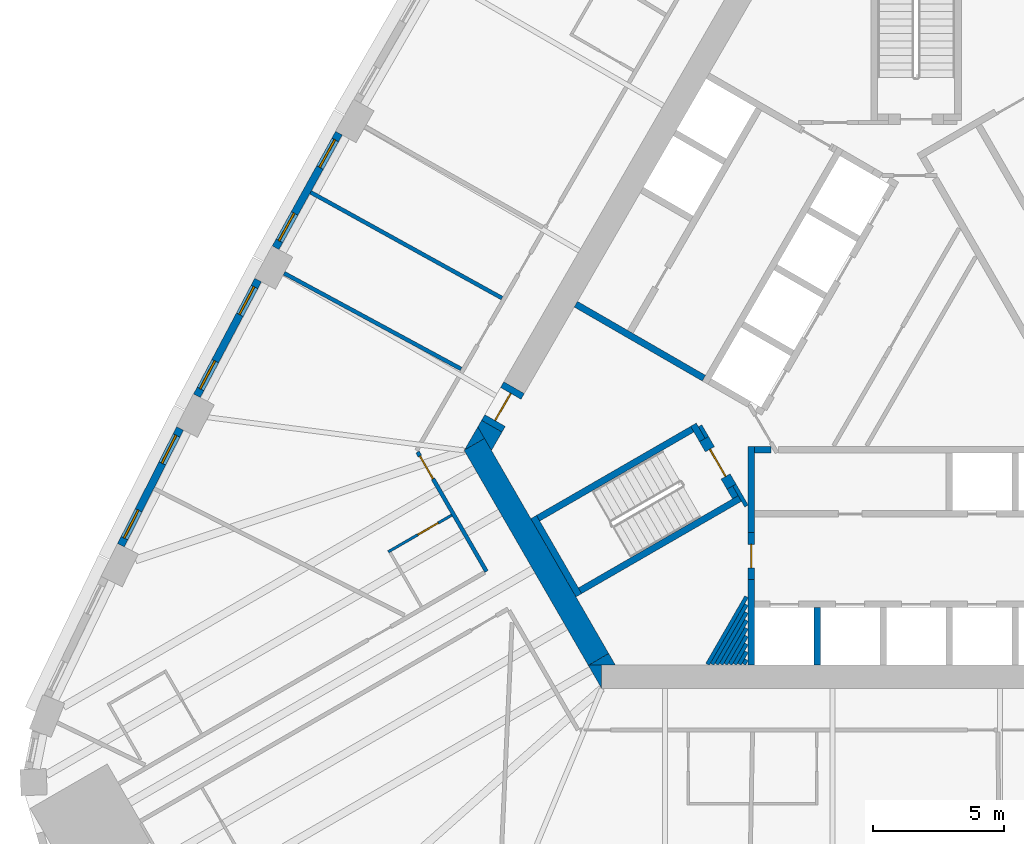
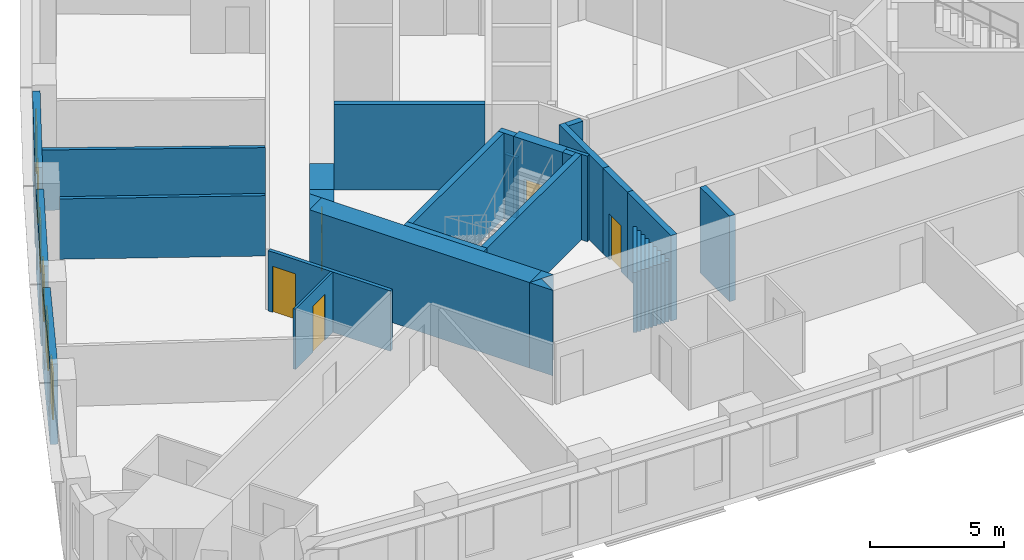
# One storey, part 4 of 12: 36 walls, 6 windows, 5 doors, 11 openings.
"""IFC4 building model written with IfcOpenShell, lengths in metres."""

import ifcopenshell
import ifcopenshell.guid

model = None  # the IFC model being written
_history = None  # IfcOwnerHistory: only IFC2X3 demands one
_inside = {}  # id of a spatial element -> (the spatial element, [elements in it])
_under = {}  # id of a project, library or spatial element -> (it, [spatial elements below it])
_declared = {}  # id of a project -> (the project, [libraries it declares])
_typed = {}  # id of a type object -> (the type object, [elements of that type])
_made_of = {}  # id of a material, layer set ... -> (it, [elements and type objects made of it])


def new_model(schema):
    """Start an empty IFC model of exactly this schema.

    Asked for "IFC4X3", IfcOpenShell would pick the latest addendum, in which some entities
    have other attributes; the version numbers below select the first issue.
    IFC2X3 requires an IfcOwnerHistory on every rooted entity: one is made here for all.
    """
    global model, _history
    if schema == "IFC4X3":
        model = ifcopenshell.file(schema_version=(4, 3, 0, 0))
    else:
        model = ifcopenshell.file(schema=schema)
    _inside.clear()
    _under.clear()
    _declared.clear()
    _typed.clear()
    _made_of.clear()
    _history = None
    if model.schema == "IFC2X3":
        org = make("IfcOrganization", Name="unknown")
        user = make(
            "IfcPersonAndOrganization",
            ThePerson=make("IfcPerson", FamilyName="unknown"),
            TheOrganization=org,
        )
        app = make(
            "IfcApplication",
            ApplicationDeveloper=org,
            Version="unknown",
            ApplicationFullName="unknown",
            ApplicationIdentifier="unknown",
        )
        _history = make(
            "IfcOwnerHistory",
            OwningUser=user,
            OwningApplication=app,
            ChangeAction="ADDED",
            CreationDate=0,
        )
    return model


def make(cls, **values):
    """One entity of the class cls with the attributes given. An attribute that is None is left unset."""
    return model.create_entity(
        cls, **{name: value for name, value in values.items() if value is not None}
    )


def rooted(cls, **values):
    """An entity with a GlobalId (a new one), such as an element, a storey or a relation."""
    return make(cls, GlobalId=ifcopenshell.guid.new(), OwnerHistory=_history, **values)


def si_unit(unit_type, name, prefix=None):
    """IfcSIUnit, for example si_unit("LENGTHUNIT", "METRE", prefix="MILLI")."""
    return make("IfcSIUnit", UnitType=unit_type, Prefix=prefix, Name=name)


def assignment(units):
    """IfcUnitAssignment: the units of a project."""
    return None if units is None else make("IfcUnitAssignment", Units=units)


def point(xyz):
    """IfcCartesianPoint."""
    return None if xyz is None else make("IfcCartesianPoint", Coordinates=xyz)


def direction(xyz):
    """IfcDirection."""
    return None if xyz is None else make("IfcDirection", DirectionRatios=xyz)


def frame(location, z_axis=None, x_axis=None):
    """IfcAxis2Placement3D, a coordinate frame: its origin and axes. An axis left out is left unset."""
    return make(
        "IfcAxis2Placement3D",
        Location=point(location),
        Axis=direction(z_axis),
        RefDirection=direction(x_axis),
    )


def frame_2d(location, x_axis=None):
    """IfcAxis2Placement2D, a coordinate frame in the plane: its origin and x axis."""
    return make(
        "IfcAxis2Placement2D", Location=point(location), RefDirection=direction(x_axis)
    )


def origin():
    """The frame at (0, 0, 0) with its axes left unset."""
    return frame((0.0, 0.0, 0.0))


def place(relative_to, where):
    """IfcLocalPlacement: puts the frame where relative to a parent placement (None: the world)."""
    return make(
        "IfcLocalPlacement", PlacementRelTo=relative_to, RelativePlacement=where
    )


def context(
    kind, dimensions, precision=None, world=None, true_north=None, identifier=None
):
    """IfcGeometricRepresentationContext, for example the 3D "Model" context."""
    return make(
        "IfcGeometricRepresentationContext",
        ContextIdentifier=identifier,
        ContextType=kind,
        CoordinateSpaceDimension=dimensions,
        Precision=precision,
        WorldCoordinateSystem=world,
        TrueNorth=true_north,
    )


def subcontext(parent, identifier, kind, view, scale=None):
    """IfcGeometricRepresentationSubContext, for example "Body" below "Model"."""
    return make(
        "IfcGeometricRepresentationSubContext",
        ContextIdentifier=identifier,
        ContextType=kind,
        ParentContext=parent,
        TargetScale=scale,
        TargetView=view,
    )


def project(units=None, contexts=None):
    """IfcProject with its units and contexts."""
    return rooted(
        "IfcProject",
        Name="project",
        RepresentationContexts=contexts,
        UnitsInContext=assignment(units),
    )


def spatial(cls, under=None, at=None, **own):
    """A site, building, storey or space (cls), placed at a placement, below another one or the project."""
    s = rooted(cls, ObjectPlacement=at, **own)
    if under is not None:
        _under.setdefault(under.id(), (under, []))[1].append(s)
    return s


def polyline(points):
    """IfcPolyline through the points."""
    return make("IfcPolyline", Points=[point(p) for p in points])


def profile(cls, at=None, kind="AREA", **sizes):
    """A parametric profile (cls). Its sizes go by their IFC names, for example OverallWidth=200.0."""
    return make(cls, ProfileType=kind, Position=at, **sizes)


def rectangle(**sizes):
    """IfcRectangleProfileDef."""
    return profile("IfcRectangleProfileDef", **sizes)


def outline(outer, holes=None, kind="AREA"):
    """IfcArbitraryClosedProfileDef: a profile drawn as a closed curve; with holes, ...WithVoids."""
    if holes is None:
        return make("IfcArbitraryClosedProfileDef", ProfileType=kind, OuterCurve=outer)
    return make(
        "IfcArbitraryProfileDefWithVoids",
        ProfileType=kind,
        OuterCurve=outer,
        InnerCurves=holes,
    )


def extrude(swept, where, along, depth):
    """IfcExtrudedAreaSolid: the profile swept, set in the frame where, extruded along a direction by depth."""
    return make(
        "IfcExtrudedAreaSolid",
        SweptArea=swept,
        Position=where,
        ExtrudedDirection=direction(along),
        Depth=depth,
    )


def shape(context_of_items, identifier, shape_type, items):
    """IfcShapeRepresentation: the items that make up one representation, for example the "Body"."""
    return make(
        "IfcShapeRepresentation",
        ContextOfItems=context_of_items,
        RepresentationIdentifier=identifier,
        RepresentationType=shape_type,
        Items=items,
    )


def material(Name=None, Category=None):
    """IfcMaterial."""
    return make("IfcMaterial", Name=Name, Category=Category)


def layer(
    of_material, thickness, ventilated=None, Name=None, Category=None, Priority=None
):
    """IfcMaterialLayer: one layer of a wall or slab, of a material (None: an air gap)."""
    return make(
        "IfcMaterialLayer",
        Material=of_material,
        LayerThickness=thickness,
        IsVentilated=ventilated,
        Name=Name,
        Category=Category,
        Priority=Priority,
    )


def layer_set(layers, Name=None):
    """IfcMaterialLayerSet."""
    return make("IfcMaterialLayerSet", MaterialLayers=layers, LayerSetName=Name)


def made_of(thing, what):
    """Note that an element or type object is made of a material, layer set ...; save() writes the relation."""
    if what is not None:
        _made_of.setdefault(what.id(), (what, []))[1].append(thing)
    return thing


def type_object(cls, material=None, **own):
    """A type object (cls), such as IfcWallType, which elements share."""
    return made_of(rooted(cls, **own), material)


def element(
    cls,
    number,
    at=None,
    inside=None,
    cuts=None,
    type_object=None,
    material=None,
    context=None,
    identifier="Body",
    shape_type=None,
    held_by="IfcProductDefinitionShape",
    body=None,
    shapes=None,
    **own,
):
    """One element of the class cls, such as IfcWall. Its Tag is "e" and its number.

    at: its placement. inside: the storey or other place that contains it. cuts: it is an
    opening in that element (IfcRelVoidsElement). A single representation is given by context,
    identifier, shape_type and body (its items); several are given by shapes. held_by: the class
    of the entity that holds the representations. save() writes the other relations.
    """
    e = rooted(cls, Tag="e%d" % number, ObjectPlacement=at, **own)
    if body is not None:
        shapes = [shape(context, identifier, shape_type, body)]
    if shapes is not None:
        e.Representation = make(held_by, Representations=shapes)
    if inside is not None:
        _inside.setdefault(inside.id(), (inside, []))[1].append(e)
    if cuts is not None:
        rooted(
            "IfcRelVoidsElement", RelatingBuildingElement=cuts, RelatedOpeningElement=e
        )
    if type_object is not None:
        _typed.setdefault(type_object.id(), (type_object, []))[1].append(e)
    return made_of(e, material)


def fill(opening, filler):
    """IfcRelFillsElement: the door or window that sits in an opening."""
    return rooted(
        "IfcRelFillsElement",
        RelatingOpeningElement=opening,
        RelatedBuildingElement=filler,
    )


def aggregate(whole, parts):
    """IfcRelAggregates: a whole, such as a stair, and the parts it consists of."""
    return rooted("IfcRelAggregates", RelatingObject=whole, RelatedObjects=parts)


def save(model, path):
    """Write the relations noted so far, then the file.

    IfcRelAggregates (storeys below a building ...), IfcRelContainedInSpatialStructure (elements
    in a storey), IfcRelDefinesByType, IfcRelAssociatesMaterial and IfcRelDeclares: one each for
    every whole, place, type object, material and project.
    """
    for whole, parts in _under.values():
        aggregate(whole, parts)
    for where, things in _inside.values():
        rooted(
            "IfcRelContainedInSpatialStructure",
            RelatedElements=things,
            RelatingStructure=where,
        )
    for kind, things in _typed.values():
        rooted("IfcRelDefinesByType", RelatedObjects=things, RelatingType=kind)
    for what, things in _made_of.values():
        rooted("IfcRelAssociatesMaterial", RelatedObjects=things, RelatingMaterial=what)
    for by, libraries in _declared.values():
        rooted("IfcRelDeclares", RelatingContext=by, RelatedDefinitions=libraries)
    model.write(path)


model = new_model("IFC4")

# Units and contexts
model_context = context("Model", 3, precision=1e-05, world=origin(), true_north=direction((0.0, 1.0)))
body_context = subcontext(model_context, "Body", "Model", "MODEL_VIEW")
ifc_project = project(units=[si_unit("LENGTHUNIT", "METRE"), si_unit("AREAUNIT", "SQUARE_METRE"), si_unit("VOLUMEUNIT", "CUBIC_METRE"), si_unit("PLANEANGLEUNIT", "RADIAN"), si_unit("MASSUNIT", "GRAM", prefix="KILO")], contexts=[model_context])

# Site, building, storey
site_placement = place(None, origin())
site = spatial("IfcSite", under=ifc_project, at=site_placement, CompositionType="ELEMENT")
building_placement = place(site_placement, origin())
building = spatial("IfcBuilding", under=site, at=building_placement, Name="Mestral Congress Tower", CompositionType="ELEMENT")
storey_placement = place(building_placement, frame((0.0, 0.0, 66.60009765625)))
storey = spatial("IfcBuildingStorey", under=building, at=storey_placement, Name="L15", CompositionType="ELEMENT", Elevation=66.60009765625)

# Walls
ifc_material_1 = material(Name="Fire-rated board partition")
ifc_layer_1 = layer(ifc_material_1, 0.14990234375)
ifc_layer_set_1 = layer_set([ifc_layer_1], Name="Fire-rated board partition")
wall_type_1 = type_object("IfcWallType", Name="Core partition 150", PredefinedType="PARTITIONING", material=ifc_layer_set_1)
wall_1_placement = place(storey_placement, frame((-7.967529296875, -12.068115234375, 0.0), z_axis=(0.0, 0.0, 1.0), x_axis=(0.500013701029, 0.866017493347, 0.0)))
element("IfcWall", 1, at=wall_1_placement, inside=storey, type_object=wall_type_1, Name="L15 core wall", PredefinedType="PARTITIONING", context=body_context, shape_type="SweptSolid", body=[
    extrude(rectangle(XDim=2.97509765625, YDim=0.14990234375, at=frame_2d((1.487548828125, 0.0))), origin(), (0.0, 0.0, 1.0), 2.75),
])
wall_2_placement = place(storey_placement, frame((-7.794189453125, -12.068115234375, 0.0), z_axis=(0.0, 0.0, 1.0), x_axis=(0.499985098601, 0.86603400694, 0.0)))
element("IfcWall", 2, at=wall_2_placement, inside=storey, type_object=wall_type_1, Name="L15 core wall", PredefinedType="PARTITIONING", context=body_context, shape_type="SweptSolid", body=[
    extrude(rectangle(XDim=2.62841796875, YDim=0.14990234375, at=frame_2d((1.314208984375, 0.0))), origin(), (0.0, 0.0, 1.0), 2.75),
])
wall_3_placement = place(storey_placement, frame((-7.62109375, -12.068115234375, 0.0), z_axis=(0.0, 0.0, 1.0), x_axis=(0.500028047758, 0.866009209798, 0.0)))
element("IfcWall", 3, at=wall_3_placement, inside=storey, type_object=wall_type_1, Name="L15 core wall", PredefinedType="PARTITIONING", context=body_context, shape_type="SweptSolid", body=[
    extrude(rectangle(XDim=2.281982421875, YDim=0.14990234375, at=frame_2d((1.14111328125, 0.0))), origin(), (0.0, 0.0, 1.0), 2.75),
])
wall_4_placement = place(storey_placement, frame((-7.447998046875, -12.068115234375, 0.0), z_axis=(0.0, 0.0, 1.0), x_axis=(0.500031751504, 0.866007071269, 0.0)))
element("IfcWall", 4, at=wall_4_placement, inside=storey, type_object=wall_type_1, Name="L15 core wall", PredefinedType="PARTITIONING", context=body_context, shape_type="SweptSolid", body=[
    extrude(rectangle(XDim=1.935791015625, YDim=0.14990234375, at=frame_2d((0.9677734375, 0.0))), origin(), (0.0, 0.0, 1.0), 2.75),
])
wall_5_placement = place(storey_placement, frame((-7.274658203125, -12.068115234375, 0.0), z_axis=(0.0, 0.0, 1.0), x_axis=(0.499988385283, 0.86603210944, 0.0)))
element("IfcWall", 5, at=wall_5_placement, inside=storey, type_object=wall_type_1, Name="L15 core wall", PredefinedType="PARTITIONING", context=body_context, shape_type="SweptSolid", body=[
    extrude(rectangle(XDim=1.58935546875, YDim=0.14990234375, at=frame_2d((0.794677734375, 0.0))), origin(), (0.0, 0.0, 1.0), 2.75),
])
wall_6_placement = place(storey_placement, frame((-7.1015625, -12.068115234375, 0.0), z_axis=(0.0, 0.0, 1.0), x_axis=(0.500068153333, 0.865986051864, 0.0)))
element("IfcWall", 6, at=wall_6_placement, inside=storey, type_object=wall_type_1, Name="L15 core wall", PredefinedType="PARTITIONING", context=body_context, shape_type="SweptSolid", body=[
    extrude(rectangle(XDim=1.242919921875, YDim=0.14990234375, at=frame_2d((0.62158203125, 0.0))), origin(), (0.0, 0.0, 1.0), 2.75),
])
wall_7_placement = place(storey_placement, frame((-6.92822265625, -12.068115234375, 0.0), z_axis=(0.0, 0.0, 1.0), x_axis=(0.500005339912, 0.866022320763, 0.0)))
element("IfcWall", 7, at=wall_7_placement, inside=storey, type_object=wall_type_1, Name="L15 core wall", PredefinedType="PARTITIONING", context=body_context, shape_type="SweptSolid", body=[
    extrude(rectangle(XDim=0.896484375, YDim=0.14990234375, at=frame_2d((0.4482421875, 0.0))), origin(), (0.0, 0.0, 1.0), 2.75),
])
wall_8_placement = place(storey_placement, frame((-6.755126953125, -12.068115234375, 0.0), z_axis=(0.0, 0.0, 1.0), x_axis=(0.500196256984, 0.865912065108, 0.0)))
element("IfcWall", 8, at=wall_8_placement, inside=storey, type_object=wall_type_1, Name="L15 core wall", PredefinedType="PARTITIONING", context=body_context, shape_type="SweptSolid", body=[
    extrude(rectangle(XDim=0.550048828125, YDim=0.14990234375, at=frame_2d((0.27490234375, 0.0))), origin(), (0.0, 0.0, 1.0), 2.75),
])
wall_9_placement = place(storey_placement, frame((-6.581787109375, -12.068115234375, 0.0), z_axis=(0.0, 0.0, 1.0), x_axis=(0.499618727529, 0.866245419672, 0.0)))
element("IfcWall", 9, at=wall_9_placement, inside=storey, type_object=wall_type_1, Name="L15 core wall", PredefinedType="PARTITIONING", context=body_context, shape_type="SweptSolid", body=[
    extrude(rectangle(XDim=0.203857421875, YDim=0.14990234375, at=frame_2d((0.10205078125, 0.0))), origin(), (0.0, 0.0, 1.0), 2.75),
])
wall_10_placement = place(storey_placement, frame((-8.251953125, -2.958251953125, 0.0), z_axis=(0.0, 0.0, 1.0), x_axis=(0.500174715838, -0.865924508047, 0.0)))
element("IfcWall", 10, at=wall_10_placement, inside=storey, type_object=wall_type_1, Name="L15 core wall", PredefinedType="PARTITIONING", context=body_context, shape_type="SweptSolid", body=[
    extrude(rectangle(XDim=0.513916015625, YDim=0.14990234375, at=frame_2d((0.2568359375, 0.0))), origin(), (0.0, 0.0, 1.0), 2.75),
])
ifc_material_2 = material(Name="Concrete C60/75", Category="concrete")
ifc_layer_2 = layer(ifc_material_2, 0.89990234375)
ifc_layer_set_2 = layer_set([ifc_layer_2], Name="Concrete C60/75")
wall_type_2 = type_object("IfcWallType", Name="Core wall RC 900", PredefinedType="SOLIDWALL", material=ifc_layer_set_2)
placement = place(storey_placement, origin())
element("IfcWall", 11, at=placement, inside=storey, type_object=wall_type_2, Name="L15 core wall", PredefinedType="SOLIDWALL", context=body_context, shape_type="SweptSolid", body=[
    extrude(outline(polyline([(-12.528564453125, -12.10009765625), (-12.0205078125, -12.10009765625), (-12.0205078125, -12.97998046875), (-12.528564453125, -12.10009765625)])), origin(), (0.0, 0.0, 1.0), 3.89990234375),
])
wall_12_placement = place(storey_placement, frame((-12.134033203125, -11.88330078125, 0.0), z_axis=(0.0, 0.0, 1.0), x_axis=(-0.500005339912, 0.866022320763, 0.0)))
element("IfcWall", 12, at=wall_12_placement, inside=storey, type_object=wall_type_2, Name="L15 core wall", PredefinedType="SOLIDWALL", context=body_context, shape_type="SweptSolid", body=[
    extrude(rectangle(XDim=9.48779296875, YDim=0.89990234375, at=frame_2d((4.743896484375, 0.0))), origin(), (0.0, 0.0, 1.0), 3.89990234375),
])
element("IfcWall", 13, at=placement, inside=storey, type_object=wall_type_2, Name="L15 core wall", PredefinedType="SOLIDWALL", context=body_context, shape_type="SweptSolid", body=[
    extrude(outline(polyline([(-16.4892578125, -3.43994140625), (-17.251220703125, -3.8798828125), (-16.7431640625, -3.0), (-16.4892578125, -3.43994140625)])), origin(), (0.0, 0.0, 1.0), 3.89990234375),
])
element("IfcWall", 14, at=placement, inside=storey, type_object=wall_type_2, Name="L15 core wall", PredefinedType="SOLIDWALL", context=body_context, shape_type="SweptSolid", body=[
    extrude(outline(polyline([(-11.4892578125, -12.10009765625), (-12.50537109375, -12.10009765625), (-11.743408203125, -11.66015625), (-11.4892578125, -12.10009765625)])), origin(), (0.0, 0.0, 1.0), 3.89990234375),
])
element("IfcWall", 15, at=placement, inside=storey, type_object=wall_type_2, Name="L15 core wall", PredefinedType="SOLIDWALL", context=body_context, shape_type="SweptSolid", body=[
    extrude(outline(polyline([(-15.81982421875, -3.20068359375), (-16.223388671875, -3.89990234375), (-16.7431640625, -3.0), (-16.599365234375, -2.750732421875), (-15.81982421875, -3.20068359375)])), origin(), (0.0, 0.0, 1.0), 3.89990234375),
])

# Wall, opening, door
wall_16_placement = place(storey_placement, frame((-16.20947265625, -2.9755859375, 0.0), z_axis=(0.0, 0.0, 1.0), x_axis=(0.499954529098, 0.86605165483, 0.0)))
wall_16 = element("IfcWall", 16, at=wall_16_placement, inside=storey, type_object=wall_type_2, Name="L15 door wall", PredefinedType="SOLIDWALL", context=body_context, shape_type="SweptSolid", body=[
    extrude(rectangle(XDim=1.699951171875, YDim=0.89990234375, at=frame_2d((0.85009765625, 0.0))), origin(), (0.0, 0.0, 1.0), 3.89990234375),
])
opening_1_placement = place(wall_16_placement, frame((0.25, 0.0, 0.0)))
opening_1 = element("IfcOpeningElement", 17, at=opening_1_placement, cuts=wall_16, Name="Opening XD3", PredefinedType="OPENING", context=body_context, shape_type="SweptSolid", body=[
    extrude(rectangle(XDim=1.199951171875, YDim=2.10009765625, at=frame_2d((0.60009765625, 1.050048828125))), frame((0.0, 0.4599609375, 0.0), z_axis=(0.0, -1.0, 0.0), x_axis=(1.0, 0.0, 0.0)), (0.0, 0.0, 1.0), 0.919921875),
])
ifc_material_3 = material(Name="Fire-rated steel door set", Category="steel")
door_type_1 = type_object("IfcDoorType", Name="Core door XD 1200x2100", OperationType="SINGLE_SWING_LEFT", PredefinedType="DOOR", material=ifc_material_3)
door_1_placement = place(opening_1_placement, origin())
door_1 = element("IfcDoor", 18, at=door_1_placement, inside=storey, type_object=door_type_1, Name="Door XD3", OperationType="SINGLE_SWING_LEFT", OverallHeight=2.10009765625, OverallWidth=1.199951171875, PredefinedType="DOOR", context=body_context, shape_type="SweptSolid", body=[
    extrude(rectangle(XDim=1.199951171875, YDim=2.10009765625, at=frame_2d((0.60009765625, 1.050048828125))), frame((0.0, 0.02490234375, 0.0), z_axis=(0.0, -1.0, 0.0), x_axis=(1.0, 0.0, 0.0)), (0.0, 0.0, 1.0), 0.050048828125),
])
fill(opening_1, door_1)

# Wall, openings, windows
ifc_material_4 = material(Name="Precast concrete C40/50 with limestone facing", Category="masonry")
ifc_layer_3 = layer(ifc_material_4, 0.2900390625)
ifc_layer_set_3 = layer_set([ifc_layer_3], Name="Precast concrete C40/50 with limestone facing")
wall_type_3 = type_object("IfcWallType", Name="Facade stone wall 290", PredefinedType="SOLIDWALL", material=ifc_layer_set_3)
wall_17_placement = place(storey_placement, frame((-22.049560546875, 8.2197265625, 0.0), z_axis=(0.0, 0.0, 1.0), x_axis=(-0.483912572871, -0.875116347589, 0.0)))
wall_17 = element("IfcWall", 19, at=wall_17_placement, inside=storey, type_object=wall_type_3, Name="Facade wall F2-05", PredefinedType="SOLIDWALL", context=body_context, shape_type="SweptSolid", body=[
    extrude(rectangle(XDim=4.998291015625, YDim=0.2900390625, at=frame_2d((2.4990234375, 0.0))), origin(), (0.0, 0.0, 1.0), 3.64990234375),
])
opening_2_placement = place(wall_17_placement, frame((0.297119140625, 0.0, 0.89990234375)))
opening_2 = element("IfcOpeningElement", 20, at=opening_2_placement, cuts=wall_17, Name="Opening W1", PredefinedType="OPENING", context=body_context, shape_type="SweptSolid", body=[
    extrude(rectangle(XDim=1.199951171875, YDim=2.14990234375, at=frame_2d((0.60009765625, 1.074951171875))), frame((0.0, 0.155029296875, 0.0), z_axis=(0.0, -1.0, 0.0), x_axis=(1.0, 0.0, 0.0)), (0.0, 0.0, 1.0), 0.31005859375),
])
opening_3_placement = place(wall_17_placement, frame((3.501220703125, 0.0, 0.89990234375)))
opening_3 = element("IfcOpeningElement", 21, at=opening_3_placement, cuts=wall_17, Name="Opening W1", PredefinedType="OPENING", context=body_context, shape_type="SweptSolid", body=[
    extrude(rectangle(XDim=1.199951171875, YDim=2.14990234375, at=frame_2d((0.60009765625, 1.074951171875))), frame((0.0, 0.155029296875, 0.0), z_axis=(0.0, -1.0, 0.0), x_axis=(1.0, 0.0, 0.0)), (0.0, 0.0, 1.0), 0.31005859375),
])
ifc_material_5 = material(Name="Clear low-emissivity double glazing", Category="glass")
window_type = type_object("IfcWindowType", Name="Facade punched window 1200 x 2150 sill 900", PartitioningType="DOUBLE_PANEL_VERTICAL", PredefinedType="WINDOW", material=ifc_material_5)
window_1_placement = place(opening_2_placement, origin())
window_1 = element("IfcWindow", 22, at=window_1_placement, inside=storey, type_object=window_type, Name="Window F2-05a", OverallHeight=2.14990234375, OverallWidth=1.199951171875, PartitioningType="DOUBLE_PANEL_VERTICAL", PredefinedType="WINDOW", context=body_context, shape_type="SweptSolid", body=[
    extrude(rectangle(XDim=1.199951171875, YDim=2.14990234375, at=frame_2d((0.60009765625, 1.074951171875))), frame((0.0, 0.01513671875, 0.0), z_axis=(0.0, -1.0, 0.0), x_axis=(1.0, 0.0, 0.0)), (0.0, 0.0, 1.0), 0.06005859375),
])
fill(opening_2, window_1)
window_2_placement = place(opening_3_placement, origin())
window_2 = element("IfcWindow", 23, at=window_2_placement, inside=storey, type_object=window_type, Name="Window F2-05b", OverallHeight=2.14990234375, OverallWidth=1.199951171875, PartitioningType="DOUBLE_PANEL_VERTICAL", PredefinedType="WINDOW", context=body_context, shape_type="SweptSolid", body=[
    extrude(rectangle(XDim=1.199951171875, YDim=2.14990234375, at=frame_2d((0.60009765625, 1.074951171875))), frame((0.0, 0.01513671875, 0.0), z_axis=(0.0, -1.0, 0.0), x_axis=(1.0, 0.0, 0.0)), (0.0, 0.0, 1.0), 0.06005859375),
])
fill(opening_3, window_2)

wall_18_placement = place(storey_placement, frame((-25.1376953125, 2.60791015625, 0.0), z_axis=(0.0, 0.0, 1.0), x_axis=(-0.467629620899, -0.883924509026, 0.0)))
wall_18 = element("IfcWall", 24, at=wall_18_placement, inside=storey, type_object=wall_type_3, Name="Facade wall F2-06", PredefinedType="SOLIDWALL", context=body_context, shape_type="SweptSolid", body=[
    extrude(rectangle(XDim=4.998291015625, YDim=0.2900390625, at=frame_2d((2.4990234375, 0.0))), origin(), (0.0, 0.0, 1.0), 3.64990234375),
])
opening_4_placement = place(wall_18_placement, frame((0.297119140625, 0.0, 0.89990234375)))
opening_4 = element("IfcOpeningElement", 25, at=opening_4_placement, cuts=wall_18, Name="Opening W1", PredefinedType="OPENING", context=body_context, shape_type="SweptSolid", body=[
    extrude(rectangle(XDim=1.199951171875, YDim=2.14990234375, at=frame_2d((0.60009765625, 1.074951171875))), frame((0.0, 0.155029296875, 0.0), z_axis=(0.0, -1.0, 0.0), x_axis=(1.0, 0.0, 0.0)), (0.0, 0.0, 1.0), 0.31005859375),
])
opening_5_placement = place(wall_18_placement, frame((3.501220703125, 0.0, 0.89990234375)))
opening_5 = element("IfcOpeningElement", 26, at=opening_5_placement, cuts=wall_18, Name="Opening W1", PredefinedType="OPENING", context=body_context, shape_type="SweptSolid", body=[
    extrude(rectangle(XDim=1.199951171875, YDim=2.14990234375, at=frame_2d((0.60009765625, 1.074951171875))), frame((0.0, 0.155029296875, 0.0), z_axis=(0.0, -1.0, 0.0), x_axis=(1.0, 0.0, 0.0)), (0.0, 0.0, 1.0), 0.31005859375),
])
window_3_placement = place(opening_4_placement, origin())
window_3 = element("IfcWindow", 27, at=window_3_placement, inside=storey, type_object=window_type, Name="Window F2-06a", OverallHeight=2.14990234375, OverallWidth=1.199951171875, PartitioningType="DOUBLE_PANEL_VERTICAL", PredefinedType="WINDOW", context=body_context, shape_type="SweptSolid", body=[
    extrude(rectangle(XDim=1.199951171875, YDim=2.14990234375, at=frame_2d((0.60009765625, 1.074951171875))), frame((0.0, 0.01513671875, 0.0), z_axis=(0.0, -1.0, 0.0), x_axis=(1.0, 0.0, 0.0)), (0.0, 0.0, 1.0), 0.06005859375),
])
fill(opening_4, window_3)
window_4_placement = place(opening_5_placement, origin())
window_4 = element("IfcWindow", 28, at=window_4_placement, inside=storey, type_object=window_type, Name="Window F2-06b", OverallHeight=2.14990234375, OverallWidth=1.199951171875, PartitioningType="DOUBLE_PANEL_VERTICAL", PredefinedType="WINDOW", context=body_context, shape_type="SweptSolid", body=[
    extrude(rectangle(XDim=1.199951171875, YDim=2.14990234375, at=frame_2d((0.60009765625, 1.074951171875))), frame((0.0, 0.01513671875, 0.0), z_axis=(0.0, -1.0, 0.0), x_axis=(1.0, 0.0, 0.0)), (0.0, 0.0, 1.0), 0.06005859375),
])
fill(opening_5, window_4)

wall_19_placement = place(storey_placement, frame((-28.12158203125, -3.06005859375, 0.0), z_axis=(0.0, 0.0, 1.0), x_axis=(-0.451233929645, -0.892405704115, 0.0)))
wall_19 = element("IfcWall", 29, at=wall_19_placement, inside=storey, type_object=wall_type_3, Name="Facade wall F2-07", PredefinedType="SOLIDWALL", context=body_context, shape_type="SweptSolid", body=[
    extrude(rectangle(XDim=4.998291015625, YDim=0.2900390625, at=frame_2d((2.4990234375, 0.0))), origin(), (0.0, 0.0, 1.0), 3.64990234375),
])
opening_6_placement = place(wall_19_placement, frame((0.297119140625, 0.0, 0.89990234375)))
opening_6 = element("IfcOpeningElement", 30, at=opening_6_placement, cuts=wall_19, Name="Opening W1", PredefinedType="OPENING", context=body_context, shape_type="SweptSolid", body=[
    extrude(rectangle(XDim=1.199951171875, YDim=2.14990234375, at=frame_2d((0.60009765625, 1.074951171875))), frame((0.0, 0.155029296875, 0.0), z_axis=(0.0, -1.0, 0.0), x_axis=(1.0, 0.0, 0.0)), (0.0, 0.0, 1.0), 0.31005859375),
])
opening_7_placement = place(wall_19_placement, frame((3.501220703125, 0.0, 0.89990234375)))
opening_7 = element("IfcOpeningElement", 31, at=opening_7_placement, cuts=wall_19, Name="Opening W1", PredefinedType="OPENING", context=body_context, shape_type="SweptSolid", body=[
    extrude(rectangle(XDim=1.199951171875, YDim=2.14990234375, at=frame_2d((0.60009765625, 1.074951171875))), frame((0.0, 0.155029296875, 0.0), z_axis=(0.0, -1.0, 0.0), x_axis=(1.0, 0.0, 0.0)), (0.0, 0.0, 1.0), 0.31005859375),
])
window_5_placement = place(opening_6_placement, origin())
window_5 = element("IfcWindow", 32, at=window_5_placement, inside=storey, type_object=window_type, Name="Window F2-07a", OverallHeight=2.14990234375, OverallWidth=1.199951171875, PartitioningType="DOUBLE_PANEL_VERTICAL", PredefinedType="WINDOW", context=body_context, shape_type="SweptSolid", body=[
    extrude(rectangle(XDim=1.199951171875, YDim=2.14990234375, at=frame_2d((0.60009765625, 1.074951171875))), frame((0.0, 0.01513671875, 0.0), z_axis=(0.0, -1.0, 0.0), x_axis=(1.0, 0.0, 0.0)), (0.0, 0.0, 1.0), 0.06005859375),
])
fill(opening_6, window_5)
window_6_placement = place(opening_7_placement, origin())
window_6 = element("IfcWindow", 33, at=window_6_placement, inside=storey, type_object=window_type, Name="Window F2-07b", OverallHeight=2.14990234375, OverallWidth=1.199951171875, PartitioningType="DOUBLE_PANEL_VERTICAL", PredefinedType="WINDOW", context=body_context, shape_type="SweptSolid", body=[
    extrude(rectangle(XDim=1.199951171875, YDim=2.14990234375, at=frame_2d((0.60009765625, 1.074951171875))), frame((0.0, 0.01513671875, 0.0), z_axis=(0.0, -1.0, 0.0), x_axis=(1.0, 0.0, 0.0)), (0.0, 0.0, 1.0), 0.06005859375),
])
fill(opening_7, window_6)

# Wall, opening, door
ifc_material_6 = material(Name="Gypsum board partition on metal studs with mineral wool", Category="composite")
ifc_layer_4 = layer(ifc_material_6, 0.10009765625)
ifc_layer_set_4 = layer_set([ifc_layer_4], Name="Gypsum board partition on metal studs with mineral wool")
wall_type_4 = type_object("IfcWallType", Name="Hotel partition wall 100", PredefinedType="PARTITIONING", material=ifc_layer_set_4)
wall_20_placement = place(storey_placement, frame((-17.740234375, -6.372802734375, 0.0), z_axis=(0.0, 0.0, 1.0), x_axis=(-0.866018616679, -0.500011755427, 0.0)))
wall_20 = element("IfcWall", 34, at=wall_20_placement, inside=storey, type_object=wall_type_4, Name="L15-h-pod22a", PredefinedType="PARTITIONING", context=body_context, shape_type="SweptSolid", body=[
    extrude(rectangle(XDim=2.80029296875, YDim=0.10009765625, at=frame_2d((1.400146484375, 0.0))), origin(), (0.0, 0.0, 1.0), 2.75),
])
opening_8_placement = place(wall_20_placement, frame((0.60009765625, 0.0, 0.0)))
opening_8 = element("IfcOpeningElement", 35, at=opening_8_placement, cuts=wall_20, Name="Opening H04-042", PredefinedType="OPENING", context=body_context, shape_type="SweptSolid", body=[
    extrude(rectangle(XDim=0.89990234375, YDim=2.10009765625, at=frame_2d((0.449951171875, 1.050048828125))), frame((0.0, 0.06005859375, 0.0), z_axis=(0.0, -1.0, 0.0), x_axis=(1.0, 0.0, 0.0)), (0.0, 0.0, 1.0), 0.1201171875),
])
ifc_material_7 = material(Name="Timber veneer door leaf in timber frame", Category="wood")
door_type_2 = type_object("IfcDoorType", Name="Bathroom door 900", OperationType="SINGLE_SWING_LEFT", PredefinedType="DOOR", material=ifc_material_7)
door_2_placement = place(opening_8_placement, origin())
door_2 = element("IfcDoor", 36, at=door_2_placement, inside=storey, type_object=door_type_2, Name="L15-h-d042", OperationType="SINGLE_SWING_LEFT", OverallHeight=2.10009765625, OverallWidth=0.89990234375, PredefinedType="DOOR", context=body_context, shape_type="SweptSolid", body=[
    extrude(rectangle(XDim=0.89990234375, YDim=2.10009765625, at=frame_2d((0.449951171875, 1.050048828125))), frame((0.0, 0.02490234375, 0.0), z_axis=(0.0, -1.0, 0.0), x_axis=(1.0, 0.0, 0.0)), (0.0, 0.0, 1.0), 0.050048828125),
])
fill(opening_8, door_2)

ifc_layer_5 = layer(ifc_material_6, 0.14990234375)
ifc_layer_set_5 = layer_set([ifc_layer_5], Name="Gypsum board partition on metal studs with mineral wool")
wall_type_5 = type_object("IfcWallType", Name="Hotel partition wall 150", PredefinedType="PARTITIONING", material=ifc_layer_set_5)
wall_21_placement = place(storey_placement, frame((-16.412353515625, -8.52294921875, 0.0), z_axis=(0.0, 0.0, 1.0), x_axis=(-0.500001929737, 0.866024289647, 0.0)))
wall_21 = element("IfcWall", 37, at=wall_21_placement, inside=storey, type_object=wall_type_5, Name="L15-h-cw09", PredefinedType="PARTITIONING", context=body_context, shape_type="SweptSolid", body=[
    extrude(rectangle(XDim=5.26806640625, YDim=0.14990234375, at=frame_2d((2.634033203125, 0.0))), origin(), (0.0, 0.0, 1.0), 2.75),
])
opening_9_placement = place(wall_21_placement, frame((4.088134765625, 0.0, 0.0)))
opening_9 = element("IfcOpeningElement", 38, at=opening_9_placement, cuts=wall_21, Name="Opening H04-041", PredefinedType="OPENING", context=body_context, shape_type="SweptSolid", body=[
    extrude(rectangle(XDim=1.0, YDim=2.10009765625, at=frame_2d((0.5, 1.050048828125))), frame((0.0, 0.0849609375, 0.0), z_axis=(0.0, -1.0, 0.0), x_axis=(1.0, 0.0, 0.0)), (0.0, 0.0, 1.0), 0.169921875),
])
ifc_material_8 = material(Name="Timber veneer door leaf in metal frame", Category="wood")
door_type_3 = type_object("IfcDoorType", Name="Guest room entrance door 1000", OperationType="SINGLE_SWING_LEFT", PredefinedType="DOOR", material=ifc_material_8)
door_3_placement = place(opening_9_placement, origin())
door_3 = element("IfcDoor", 39, at=door_3_placement, inside=storey, type_object=door_type_3, Name="L15-h-d041", OperationType="SINGLE_SWING_RIGHT", OverallHeight=2.10009765625, OverallWidth=1.0, PredefinedType="DOOR", context=body_context, shape_type="SweptSolid", body=[
    extrude(rectangle(XDim=1.0, YDim=2.10009765625, at=frame_2d((0.5, 1.050048828125))), frame((0.0, 0.02490234375, 0.0), z_axis=(0.0, -1.0, 0.0), x_axis=(1.0, 0.0, 0.0)), (0.0, 0.0, 1.0), 0.050048828125),
])
fill(opening_9, door_3)

# Walls
wall_22_placement = place(storey_placement, frame((-24.14453125, 2.87060546875, 0.0), z_axis=(0.0, 0.0, 1.0), x_axis=(0.879551725039, -0.475803281809, 0.0)))
element("IfcWall", 40, at=wall_22_placement, inside=storey, type_object=wall_type_5, Name="L15-h-pw03", PredefinedType="PARTITIONING", context=body_context, shape_type="SweptSolid", body=[
    extrude(rectangle(XDim=7.68798828125, YDim=0.14990234375, at=frame_2d((3.843994140625, 0.0))), origin(), (0.0, 0.0, 1.0), 2.75),
])
wall_23_placement = place(storey_placement, frame((-23.1318359375, 5.96240234375, 0.0), z_axis=(0.0, 0.0, 1.0), x_axis=(0.875121716713, -0.483902863121, 0.0)))
element("IfcWall", 41, at=wall_23_placement, inside=storey, type_object=wall_type_5, Name="L15-h-pw04", PredefinedType="PARTITIONING", context=body_context, shape_type="SweptSolid", body=[
    extrude(rectangle(XDim=8.35546875, YDim=0.14990234375, at=frame_2d((4.177734375, 0.0))), origin(), (0.0, 0.0, 1.0), 2.75),
])
ifc_layer_6 = layer(ifc_material_2, 0.25)
ifc_layer_set_6 = layer_set([ifc_layer_6], Name="Concrete C60/75")
wall_type_6 = type_object("IfcWallType", Name="Shaft wall RC 250", PredefinedType="SOLIDWALL", material=ifc_layer_set_6)
wall_24_placement = place(storey_placement, frame((-3.780029296875, -12.10009765625, 0.0), z_axis=(0.0, 0.0, 1.0), x_axis=(0.0, 1.0, 0.0)))
element("IfcWall", 42, at=wall_24_placement, inside=storey, type_object=wall_type_6, Name="L15 core wall", PredefinedType="SOLIDWALL", context=body_context, shape_type="SweptSolid", body=[
    extrude(rectangle(XDim=2.199951171875, YDim=0.25, at=frame_2d((1.10009765625, 0.0))), origin(), (0.0, 0.0, 1.0), 3.89990234375),
])
wall_25_placement = place(storey_placement, frame((-6.300048828125, -12.10009765625, 0.0), z_axis=(0.0, 0.0, 1.0), x_axis=(0.0, 1.0, 0.0)))
element("IfcWall", 43, at=wall_25_placement, inside=storey, type_object=wall_type_6, Name="L15 core wall", PredefinedType="SOLIDWALL", context=body_context, shape_type="SweptSolid", body=[
    extrude(rectangle(XDim=3.2646484375, YDim=0.25, at=frame_2d((1.63232421875, 0.0))), origin(), (0.0, 0.0, 1.0), 3.89990234375),
])
wall_26_placement = place(storey_placement, frame((-6.300048828125, -7.03515625, 0.0), z_axis=(0.0, 0.0, 1.0), x_axis=(0.0, 1.0, 0.0)))
element("IfcWall", 44, at=wall_26_placement, inside=storey, type_object=wall_type_6, Name="L15 core wall", PredefinedType="SOLIDWALL", context=body_context, shape_type="SweptSolid", body=[
    extrude(rectangle(XDim=3.28515625, YDim=0.25, at=frame_2d((1.642578125, 0.0))), origin(), (0.0, 0.0, 1.0), 3.89990234375),
])
wall_27_placement = place(storey_placement, frame((-6.175048828125, -3.875, 0.0), z_axis=(0.0, 0.0, 1.0), x_axis=(1.0, 0.0, 0.0)))
element("IfcWall", 45, at=wall_27_placement, inside=storey, type_object=wall_type_6, Name="L15 core wall", PredefinedType="SOLIDWALL", context=body_context, shape_type="SweptSolid", body=[
    extrude(rectangle(XDim=0.63671875, YDim=0.25, at=frame_2d((0.318359375, 0.0))), origin(), (0.0, 0.0, 1.0), 3.89990234375),
])
wall_28_placement = place(storey_placement, frame((-8.10595703125, -1.139892578125, 0.0), z_axis=(0.0, 0.0, 1.0), x_axis=(-0.866000643155, 0.500042884217, 0.0)))
element("IfcWall", 46, at=wall_28_placement, inside=storey, type_object=wall_type_6, Name="L15 core wall", PredefinedType="SOLIDWALL", context=body_context, shape_type="SweptSolid", body=[
    extrude(rectangle(XDim=5.64990234375, YDim=0.25, at=frame_2d((2.824951171875, 0.0))), origin(), (0.0, 0.0, 1.0), 3.89990234375),
])

# Wall, opening, door
wall_29_placement = place(storey_placement, frame((-6.300048828125, -7.035400390625, 0.0), z_axis=(0.0, 0.0, 1.0), x_axis=(0.0, -1.0, 0.0)))
wall_29 = element("IfcWall", 47, at=wall_29_placement, inside=storey, type_object=wall_type_6, Name="L15 door wall", PredefinedType="SOLIDWALL", context=body_context, shape_type="SweptSolid", body=[
    extrude(rectangle(XDim=1.7998046875, YDim=0.25, at=frame_2d((0.89990234375, 0.0))), origin(), (0.0, 0.0, 1.0), 3.89990234375),
])
opening_10_placement = place(wall_29_placement, frame((0.449951171875, 0.0, 0.0)))
opening_10 = element("IfcOpeningElement", 48, at=opening_10_placement, cuts=wall_29, Name="Opening TD3", PredefinedType="OPENING", context=body_context, shape_type="SweptSolid", body=[
    extrude(rectangle(XDim=0.89990234375, YDim=2.10009765625, at=frame_2d((0.449951171875, 1.050048828125))), frame((0.0, 0.135009765625, 0.0), z_axis=(0.0, -1.0, 0.0), x_axis=(1.0, 0.0, 0.0)), (0.0, 0.0, 1.0), 0.27001953125),
])
door_type_4 = type_object("IfcDoorType", Name="Core door SR 900x2100", OperationType="SINGLE_SWING_LEFT", PredefinedType="DOOR", material=ifc_material_3)
door_4_placement = place(opening_10_placement, origin())
door_4 = element("IfcDoor", 49, at=door_4_placement, inside=storey, type_object=door_type_4, Name="Door TD3", OperationType="SINGLE_SWING_LEFT", OverallHeight=2.10009765625, OverallWidth=0.89990234375, PredefinedType="DOOR", context=body_context, shape_type="SweptSolid", body=[
    extrude(rectangle(XDim=0.89990234375, YDim=2.10009765625, at=frame_2d((0.449951171875, 1.050048828125))), frame((0.0, 0.02490234375, 0.0), z_axis=(0.0, -1.0, 0.0), x_axis=(1.0, 0.0, 0.0)), (0.0, 0.0, 1.0), 0.050048828125),
])
fill(opening_10, door_4)

# Walls
ifc_layer_7 = layer(ifc_material_2, 0.14990234375)
ifc_layer_set_7 = layer_set([ifc_layer_7], Name="Concrete C60/75")
wall_type_7 = type_object("IfcWallType", Name="Shaft wall RC 250 door-wall 150", PredefinedType="SOLIDWALL", material=ifc_layer_set_7)
wall_30_placement = place(storey_placement, frame((-6.48046875, -6.026611328125, 0.0), z_axis=(0.0, 0.0, 1.0), x_axis=(-0.499927229454, 0.866067413802, 0.0)))
element("IfcWall", 50, at=wall_30_placement, inside=storey, type_object=wall_type_7, Name="L15 core wall", PredefinedType="PARTITIONING", context=body_context, shape_type="SweptSolid", body=[
    extrude(rectangle(XDim=0.928955078125, YDim=0.14990234375, at=frame_2d((0.46435546875, 0.0))), origin(), (0.0, 0.0, 1.0), 3.89990234375),
])
ifc_layer_8 = layer(ifc_material_2, 0.25)
ifc_layer_set_8 = layer_set([ifc_layer_8], Name="Concrete C60/75")
wall_type_8 = type_object("IfcWallType", Name="Stair wall RC 250", PredefinedType="SOLIDWALL", material=ifc_layer_set_8)
wall_31_placement = place(storey_placement, frame((-12.885498046875, -9.431396484375, 0.0), z_axis=(0.0, 0.0, 1.0), x_axis=(-0.500020560727, 0.866013532718, 0.0)))
element("IfcWall", 51, at=wall_31_placement, inside=storey, type_object=wall_type_8, Name="L15 core wall", PredefinedType="SOLIDWALL", context=body_context, shape_type="SweptSolid", body=[
    extrude(rectangle(XDim=3.449951171875, YDim=0.25, at=frame_2d((1.72509765625, 0.0))), origin(), (0.0, 0.0, 1.0), 3.89990234375),
])
wall_32_placement = place(storey_placement, frame((-14.43994140625, -6.489501953125, 0.0), z_axis=(0.0, 0.0, 1.0), x_axis=(0.866022966069, 0.500004222222, 0.0)))
element("IfcWall", 52, at=wall_32_placement, inside=storey, type_object=wall_type_8, Name="L15 core wall", PredefinedType="SOLIDWALL", context=body_context, shape_type="SweptSolid", body=[
    extrude(rectangle(XDim=6.80029296875, YDim=0.25, at=frame_2d((3.400146484375, 0.0))), origin(), (0.0, 0.0, 1.0), 3.89990234375),
])
wall_33_placement = place(storey_placement, frame((-8.167724609375, -3.503173828125, 0.0), z_axis=(0.0, 0.0, 1.0), x_axis=(-0.499952099219, 0.866053057547, 0.0)))
element("IfcWall", 53, at=wall_33_placement, inside=storey, type_object=wall_type_8, Name="L15 core wall", PredefinedType="SOLIDWALL", context=body_context, shape_type="SweptSolid", body=[
    extrude(rectangle(XDim=0.6748046875, YDim=0.25, at=frame_2d((0.33740234375, 0.0))), origin(), (0.0, 0.0, 1.0), 3.89990234375),
])
wall_34_placement = place(storey_placement, frame((-12.83984375, -9.2607421875, 0.0), z_axis=(0.0, 0.0, 1.0), x_axis=(0.866016039709, 0.500016218704, 0.0)))
element("IfcWall", 54, at=wall_34_placement, inside=storey, type_object=wall_type_8, Name="L15 core wall", PredefinedType="SOLIDWALL", context=body_context, shape_type="SweptSolid", body=[
    extrude(rectangle(XDim=7.050048828125, YDim=0.25, at=frame_2d((3.52490234375, 0.0))), origin(), (0.0, 0.0, 1.0), 3.89990234375),
])
wall_35_placement = place(storey_placement, frame((-6.905029296875, -5.68994140625, 0.0), z_axis=(0.0, 0.0, 1.0), x_axis=(-0.500402024738, 0.865793170242, 0.0)))
element("IfcWall", 55, at=wall_35_placement, inside=storey, type_object=wall_type_8, Name="L15 core wall", PredefinedType="SOLIDWALL", context=body_context, shape_type="SweptSolid", body=[
    extrude(rectangle(XDim=0.425048828125, YDim=0.25, at=frame_2d((0.21240234375, 0.0))), origin(), (0.0, 0.0, 1.0), 3.89990234375),
])

# Wall, opening, door
ifc_layer_9 = layer(ifc_material_2, 0.39990234375)
ifc_layer_set_9 = layer_set([ifc_layer_9], Name="Concrete C60/75")
wall_type_9 = type_object("IfcWallType", Name="Stair wall RC 250 door-wall 400", PredefinedType="SOLIDWALL", material=ifc_layer_set_9)
wall_36_placement = place(storey_placement, frame((-8.102783203125, -3.4658203125, 0.0), z_axis=(0.0, 0.0, 1.0), x_axis=(0.500078061341, -0.865980330357, 0.0)))
wall_36 = element("IfcWall", 56, at=wall_36_placement, inside=storey, type_object=wall_type_9, Name="L15 door wall", PredefinedType="SOLIDWALL", context=body_context, shape_type="SweptSolid", body=[
    extrude(rectangle(XDim=2.099853515625, YDim=0.39990234375, at=frame_2d((1.0498046875, 0.0))), origin(), (0.0, 0.0, 1.0), 3.89990234375),
])
opening_11_placement = place(wall_36_placement, frame((0.449951171875, 0.0, 0.0)))
opening_11 = element("IfcOpeningElement", 57, at=opening_11_placement, cuts=wall_36, Name="Opening ST-D3", PredefinedType="OPENING", context=body_context, shape_type="SweptSolid", body=[
    extrude(rectangle(XDim=1.199951171875, YDim=2.10009765625, at=frame_2d((0.60009765625, 1.050048828125))), frame((0.0, 0.2099609375, 0.0), z_axis=(0.0, -1.0, 0.0), x_axis=(1.0, 0.0, 0.0)), (0.0, 0.0, 1.0), 0.419921875),
])
door_type_5 = type_object("IfcDoorType", Name="Core door ST 1200x2100", OperationType="SINGLE_SWING_LEFT", PredefinedType="DOOR", material=ifc_material_3)
door_5_placement = place(opening_11_placement, origin())
door_5 = element("IfcDoor", 58, at=door_5_placement, inside=storey, type_object=door_type_5, Name="Door ST-D3", OperationType="SINGLE_SWING_LEFT", OverallHeight=2.10009765625, OverallWidth=1.199951171875, PredefinedType="DOOR", context=body_context, shape_type="SweptSolid", body=[
    extrude(rectangle(XDim=1.199951171875, YDim=2.10009765625, at=frame_2d((0.60009765625, 1.050048828125))), frame((0.0, 0.02490234375, 0.0), z_axis=(0.0, -1.0, 0.0), x_axis=(1.0, 0.0, 0.0)), (0.0, 0.0, 1.0), 0.050048828125),
])
fill(opening_11, door_5)

save(model, "model.ifc")
